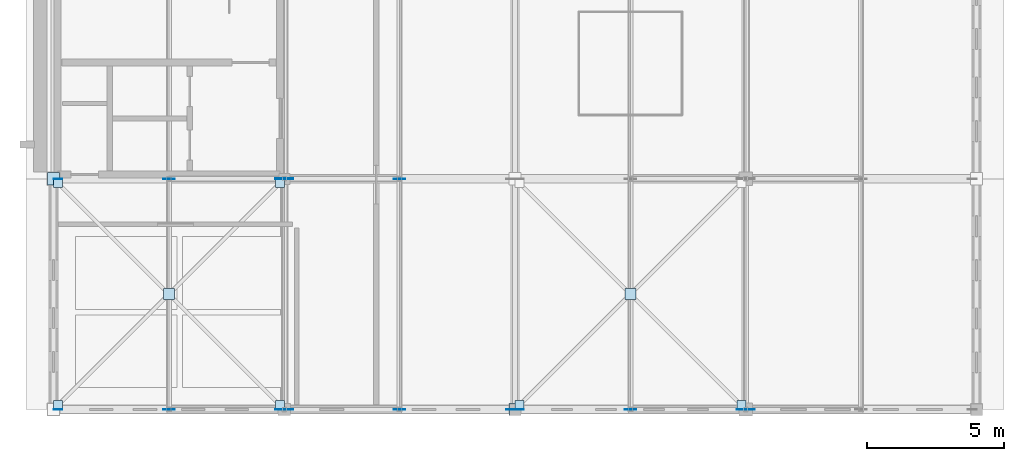
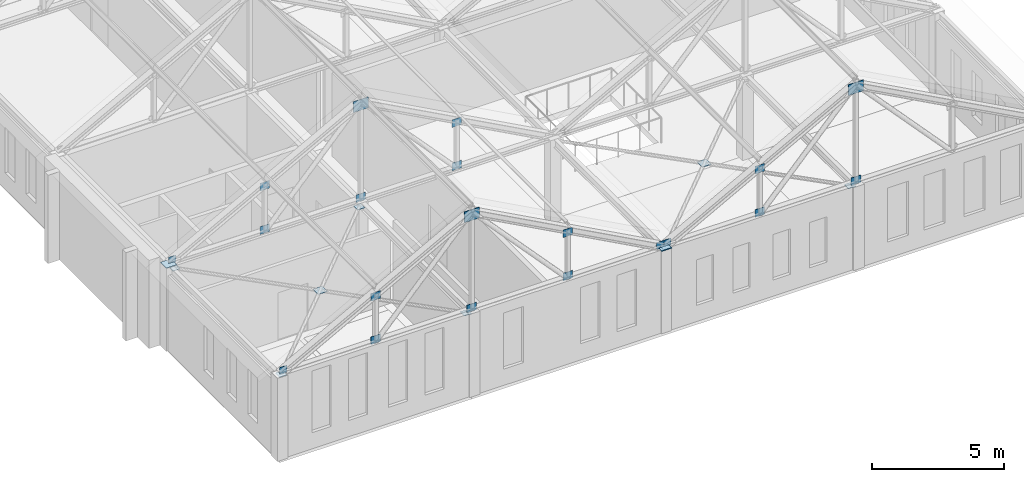
# One storey, part 18 of 36: 30 plates.
"""IFC4 building model written with IfcOpenShell, lengths in metres."""

from ifc_helpers import new_model, si_unit, direction, frame, origin, origin_2d, place, context, subcontext, project, spatial, rectangle, extrude, material, layer, layer_set, type_object, element, save


model = new_model("IFC4")

# Units and contexts
model_context = context("Model", 3, precision=1e-05, world=origin(), true_north=direction((0.0, 1.0)))
body_context = subcontext(model_context, "Body", "Model", "MODEL_VIEW")
ifc_project = project(units=[si_unit("LENGTHUNIT", "METRE"), si_unit("AREAUNIT", "SQUARE_METRE"), si_unit("VOLUMEUNIT", "CUBIC_METRE"), si_unit("PLANEANGLEUNIT", "RADIAN"), si_unit("MASSUNIT", "GRAM", prefix="KILO")], contexts=[model_context])

# Site, building, storey
site_placement = place(None, origin())
site = spatial("IfcSite", under=ifc_project, at=site_placement, CompositionType="ELEMENT")
building_placement = place(site_placement, origin())
building = spatial("IfcBuilding", under=site, at=building_placement, Name="Kveldsbrygga Polytechnic", CompositionType="ELEMENT")
storey_placement = place(building_placement, frame((0.0, 0.0, 26.179931640625)))
storey = spatial("IfcBuildingStorey", under=building, at=storey_placement, Name="L06", CompositionType="ELEMENT", Elevation=26.179931640625)

# Plates
ifc_material = material(Name="Steel S355", Category="steel")
ifc_layer_1 = layer(ifc_material, 0.030029296875)
ifc_layer_set_1 = layer_set([ifc_layer_1], Name="Steel S355")
plate_type_1 = type_object("IfcPlateType", Name="CAP-BEAR-450", PredefinedType="SHEET", material=ifc_layer_set_1)
for number, where, z_axis, x_axis, name in (
    (1, (142.800048828125, 16.800048828125, 3.81005859375), (0.0, 0.0, 1.0), (1.0, 0.0, 0.0), "Truss Bearing Plate V4M1-T01-B"),
    (2, (126.0, 25.199951171875, 3.81005859375), (0.0, 0.0, 1.0), (1.0, 0.0, 0.0), "Truss Bearing Plate V4M1-T02-A"),
):
    element("IfcPlate", number, at=place(storey_placement, frame(where, z_axis=z_axis, x_axis=x_axis)), inside=storey, type_object=plate_type_1, Name=name, PredefinedType="SHEET", context=body_context, shape_type="SweptSolid", body=[
        extrude(rectangle(XDim=0.449951171875, YDim=0.449951171875, at=origin_2d()), origin(), (0.0, 0.0, 1.0), 0.030029296875),
    ])
ifc_layer_2 = layer(ifc_material, 0.02490234375)
ifc_layer_set_2 = layer_set([ifc_layer_2], Name="Steel S355")
plate_type_2 = type_object("IfcPlateType", Name="GUS-APEX-650", PredefinedType="SHEET", material=ifc_layer_set_2)
for number, where, z_axis, x_axis, name in (
    (3, (134.39990234375, 16.800048828125, 7.989990234375), (0.0, 0.0, 1.0), (1.0, 0.0, 0.0), "Truss Gusset Plate V4M1-T01-GP-2"),
    (4, (134.39990234375, 25.199951171875, 7.989990234375), (0.0, 0.0, 1.0), (1.0, 0.0, 0.0), "Truss Gusset Plate V4M1-T02-GP-2"),
    (5, (151.199951171875, 16.800048828125, 7.989990234375), (0.0, 0.0, 1.0), (1.0, 0.0, 0.0), "Truss Gusset Plate V4M2-T01-GP-2"),
):
    element("IfcPlate", number, at=place(storey_placement, frame(where, z_axis=z_axis, x_axis=x_axis)), inside=storey, type_object=plate_type_2, Name=name, PredefinedType="SHEET", context=body_context, shape_type="SweptSolid", body=[
        extrude(rectangle(XDim=0.64990234375, YDim=0.02490234375, at=origin_2d()), origin(), (0.0, 0.0, 1.0), 0.5),
    ])
ifc_layer_3 = layer(ifc_material, 0.01806640625)
ifc_layer_set_3 = layer_set([ifc_layer_3], Name="Steel S355")
plate_type_3 = type_object("IfcPlateType", Name="GUS-BRACE-320", PredefinedType="SHEET", material=ifc_layer_set_3)
for number, where, z_axis, x_axis, name in (
    (6, (126.159912109375, 16.800048828125, 3.7998046875), (0.0, 0.0, 1.0), (1.0, 0.0, 0.0), "Truss Eaves Node Gusset V4M1-T01-EGP-A"),
    (7, (142.639892578125, 16.800048828125, 3.7998046875), (0.0, 0.0, 1.0), (1.0, 0.0, 0.0), "Truss Eaves Node Gusset V4M1-T01-EGP-B"),
    (8, (126.159912109375, 25.199951171875, 3.7998046875), (0.0, 0.0, 1.0), (1.0, 0.0, 0.0), "Truss Eaves Node Gusset V4M1-T02-EGP-A"),
    (9, (142.9599609375, 16.800048828125, 3.7998046875), (0.0, 0.0, 1.0), (1.0, 0.0, 0.0), "Truss Eaves Node Gusset V4M2-T01-EGP-A"),
):
    element("IfcPlate", number, at=place(storey_placement, frame(where, z_axis=z_axis, x_axis=x_axis)), inside=storey, type_object=plate_type_3, Name=name, PredefinedType="SHEET", context=body_context, shape_type="SweptSolid", body=[
        extrude(rectangle(XDim=0.320068359375, YDim=0.01806640625, at=origin_2d()), origin(), (0.0, 0.0, 1.0), 0.320068359375),
    ])
for number, where, z_axis, x_axis, name in (
    (10, (126.159912109375, 16.9599609375, 3.6611328125), (0.0, 0.0, 1.0), (1.0, 0.0, 0.0), "Attic Brace End Gusset XGP-RBR-15-2-1"),
    (11, (134.239990234375, 25.0400390625, 3.6611328125), (0.0, 0.0, 1.0), (1.0, 0.0, 0.0), "Attic Brace End Gusset XGP-RBR-15-2-2"),
    (12, (126.159912109375, 25.0400390625, 3.6611328125), (0.0, 0.0, 1.0), (1.0, 0.0, 0.0), "Attic Brace End Gusset XGP-RBR-15-2-3"),
    (13, (134.239990234375, 16.9599609375, 3.6611328125), (0.0, 0.0, 1.0), (1.0, 0.0, 0.0), "Attic Brace End Gusset XGP-RBR-15-2-4"),
    (14, (142.9599609375, 16.9599609375, 3.6611328125), (0.0, 0.0, 1.0), (1.0, 0.0, 0.0), "Attic Brace End Gusset XGP-RBR-17-2-1"),
    (15, (151.0400390625, 16.9599609375, 3.6611328125), (0.0, 0.0, 1.0), (1.0, 0.0, 0.0), "Attic Brace End Gusset XGP-RBR-17-2-4"),
):
    element("IfcPlate", number, at=place(storey_placement, frame(where, z_axis=z_axis, x_axis=x_axis)), inside=storey, type_object=plate_type_3, Name=name, PredefinedType="SHEET", context=body_context, shape_type="SweptSolid", body=[
        extrude(rectangle(XDim=0.320068359375, YDim=0.320068359375, at=origin_2d()), origin(), (0.0, 0.0, 1.0), 0.01806640625),
    ])
ifc_layer_4 = layer(ifc_material, 0.02001953125)
ifc_layer_set_4 = layer_set([ifc_layer_4], Name="Steel S355")
plate_type_4 = type_object("IfcPlateType", Name="GUS-LECT-420", PredefinedType="SHEET", material=ifc_layer_set_4)
for number, where, z_axis, x_axis, name in (
    (16, (130.199951171875, 16.800048828125, 5.7900390625), (0.0, 0.0, 1.0), (1.0, 0.0, 0.0), "Truss Gusset Plate V4M1-T01-GP-1"),
    (17, (130.199951171875, 16.800048828125, 3.784912109375), (0.0, 0.0, 1.0), (1.0, 0.0, 0.0), "Truss Bottom-Chord Node Gusset V4M1-T01-BGP-1"),
    (18, (134.39990234375, 16.800048828125, 3.784912109375), (0.0, 0.0, 1.0), (1.0, 0.0, 0.0), "Truss Bottom-Chord Node Gusset V4M1-T01-BGP-2"),
    (19, (138.60009765625, 16.800048828125, 5.7900390625), (0.0, 0.0, 1.0), (1.0, 0.0, 0.0), "Truss Gusset Plate V4M1-T01-GP-3"),
    (20, (138.60009765625, 16.800048828125, 3.784912109375), (0.0, 0.0, 1.0), (1.0, 0.0, 0.0), "Truss Bottom-Chord Node Gusset V4M1-T01-BGP-3"),
    (21, (130.199951171875, 25.199951171875, 5.7900390625), (0.0, 0.0, 1.0), (1.0, 0.0, 0.0), "Truss Gusset Plate V4M1-T02-GP-1"),
    (22, (130.199951171875, 25.199951171875, 3.784912109375), (0.0, 0.0, 1.0), (1.0, 0.0, 0.0), "Truss Bottom-Chord Node Gusset V4M1-T02-BGP-1"),
    (23, (134.39990234375, 25.199951171875, 3.784912109375), (0.0, 0.0, 1.0), (1.0, 0.0, 0.0), "Truss Bottom-Chord Node Gusset V4M1-T02-BGP-2"),
    (24, (138.60009765625, 25.199951171875, 5.7900390625), (0.0, 0.0, 1.0), (1.0, 0.0, 0.0), "Truss Gusset Plate V4M1-T02-GP-3"),
    (25, (138.60009765625, 25.199951171875, 3.784912109375), (0.0, 0.0, 1.0), (1.0, 0.0, 0.0), "Truss Bottom-Chord Node Gusset V4M1-T02-BGP-3"),
    (26, (147.0, 16.800048828125, 5.7900390625), (0.0, 0.0, 1.0), (1.0, 0.0, 0.0), "Truss Gusset Plate V4M2-T01-GP-1"),
    (27, (147.0, 16.800048828125, 3.784912109375), (0.0, 0.0, 1.0), (1.0, 0.0, 0.0), "Truss Bottom-Chord Node Gusset V4M2-T01-BGP-1"),
    (28, (151.199951171875, 16.800048828125, 3.784912109375), (0.0, 0.0, 1.0), (1.0, 0.0, 0.0), "Truss Bottom-Chord Node Gusset V4M2-T01-BGP-2"),
):
    element("IfcPlate", number, at=place(storey_placement, frame(where, z_axis=z_axis, x_axis=x_axis)), inside=storey, type_object=plate_type_4, Name=name, PredefinedType="SHEET", context=body_context, shape_type="SweptSolid", body=[
        extrude(rectangle(XDim=0.419921875, YDim=0.02001953125, at=origin_2d()), origin(), (0.0, 0.0, 1.0), 0.35009765625),
    ])
ifc_layer_5 = layer(ifc_material, 0.02001953125)
ifc_layer_set_5 = layer_set([ifc_layer_5], Name="Steel S355")
plate_type_5 = type_object("IfcPlateType", Name="GUS-XBRACE-400", PredefinedType="SHEET", material=ifc_layer_set_5)
for number, where, z_axis, x_axis, name in (
    (29, (130.199951171875, 21.0, 3.66015625), (0.0, 0.0, 1.0), (1.0, 0.0, 0.0), "Attic X-Brace Crossing Gusset XGP-RBR-15-2-C"),
    (30, (147.0, 21.0, 3.66015625), (0.0, 0.0, 1.0), (1.0, 0.0, 0.0), "Attic X-Brace Crossing Gusset XGP-RBR-17-2-C"),
):
    element("IfcPlate", number, at=place(storey_placement, frame(where, z_axis=z_axis, x_axis=x_axis)), inside=storey, type_object=plate_type_5, Name=name, PredefinedType="SHEET", context=body_context, shape_type="SweptSolid", body=[
        extrude(rectangle(XDim=0.39990234375, YDim=0.39990234375, at=origin_2d()), origin(), (0.0, 0.0, 1.0), 0.02001953125),
    ])

save(model, "model.ifc")
